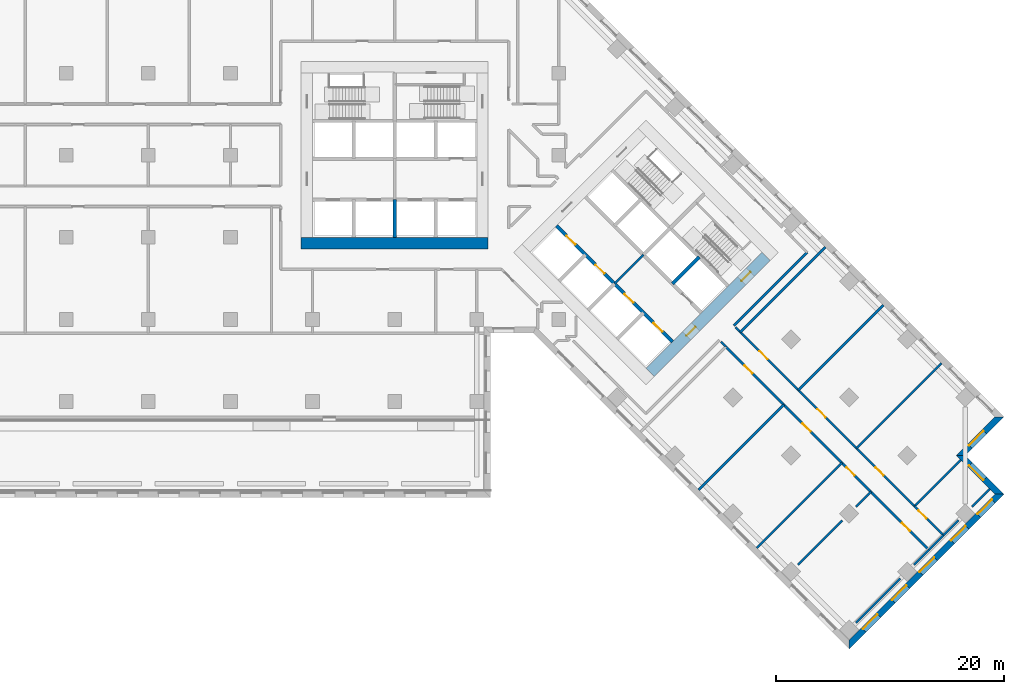
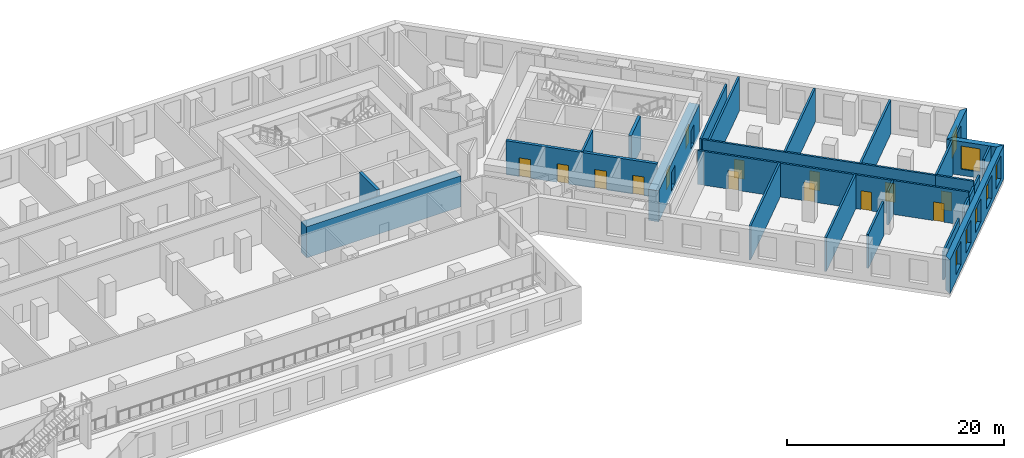
# One storey, part 7 of 13: 27 walls, 14 doors, 7 windows, 21 openings.
"""IFC4 building model written with IfcOpenShell, lengths in metres."""

from ifc_helpers import new_model, si_unit, direction, frame, frame_2d, origin, place, context, subcontext, project, spatial, polyline, rectangle, outline, extrude, material, layer, layer_set, type_object, element, fill, save


model = new_model("IFC4")

# Units and contexts
model_context = context("Model", 3, precision=1e-05, world=origin(), true_north=direction((0.0, 1.0)))
body_context = subcontext(model_context, "Body", "Model", "MODEL_VIEW")
ifc_project = project(units=[si_unit("LENGTHUNIT", "METRE"), si_unit("AREAUNIT", "SQUARE_METRE"), si_unit("VOLUMEUNIT", "CUBIC_METRE"), si_unit("PLANEANGLEUNIT", "RADIAN"), si_unit("MASSUNIT", "GRAM", prefix="KILO")], contexts=[model_context])

# Site, building, storey
site_placement = place(None, origin())
site = spatial("IfcSite", under=ifc_project, at=site_placement, CompositionType="ELEMENT")
building_placement = place(site_placement, origin())
building = spatial("IfcBuilding", under=site, at=building_placement, Name="Windrow Commons", CompositionType="ELEMENT")
storey_placement = place(building_placement, frame((0.0, 0.0, 14.4)))
storey = spatial("IfcBuildingStorey", under=building, at=storey_placement, Name="L03", CompositionType="ELEMENT", Elevation=14.4)

# Wall, openings, windows
ifc_material_1 = material(Name="Brick masonry, red clay brick", Category="masonry")
ifc_layer_1 = layer(ifc_material_1, 0.55)
ifc_layer_set_1 = layer_set([ifc_layer_1], Name="Brick facade wall 550")
wall_type_1 = type_object("IfcWallType", Name="Brick facade wall 550", PredefinedType="SOLIDWALL", material=ifc_layer_set_1)
wall_1_placement = place(storey_placement, frame((104.6558, 14.689, 0.0), z_axis=(0.0, 0.0, 1.0), x_axis=(0.7071094621, 0.7071041002, 0.0)))
wall_1 = element("IfcWall", 1, at=wall_1_placement, inside=storey, type_object=wall_type_1, Name="Brick facade wall L03 1", PredefinedType="SOLIDWALL", context=body_context, shape_type="SweptSolid", body=[
    extrude(outline(polyline([(-0.275, -0.275), (18.925, -0.275), (18.375, 0.275), (0.275, 0.275), (-0.275, -0.275)])), origin(), (0.0, 0.0, 1.0), 3.8),
])
opening_1_placement = place(wall_1_placement, frame((1.825, 0.0, 0.7)))
opening_1 = element("IfcOpeningElement", 2, at=opening_1_placement, cuts=wall_1, Name="Opening W2", PredefinedType="OPENING", context=body_context, shape_type="SweptSolid", body=[
    extrude(rectangle(XDim=1.8, YDim=2.6, at=frame_2d((0.9, 1.3))), frame((0.0, 0.285, 0.0), z_axis=(0.0, -1.0, 0.0), x_axis=(1.0, 0.0, 0.0)), (0.0, 0.0, 1.0), 0.57),
])
opening_2_placement = place(wall_1_placement, frame((5.425, 0.0, 0.7)))
opening_2 = element("IfcOpeningElement", 3, at=opening_2_placement, cuts=wall_1, Name="Opening W2", PredefinedType="OPENING", context=body_context, shape_type="SweptSolid", body=[
    extrude(rectangle(XDim=1.8, YDim=2.6, at=frame_2d((0.9, 1.3))), frame((0.0, 0.285, 0.0), z_axis=(0.0, -1.0, 0.0), x_axis=(1.0, 0.0, 0.0)), (0.0, 0.0, 1.0), 0.57),
])
opening_3_placement = place(wall_1_placement, frame((8.875, 0.0, 0.7)))
opening_3 = element("IfcOpeningElement", 4, at=opening_3_placement, cuts=wall_1, Name="Opening W2", PredefinedType="OPENING", context=body_context, shape_type="SweptSolid", body=[
    extrude(rectangle(XDim=1.8, YDim=2.6, at=frame_2d((0.9, 1.3))), frame((0.0, 0.285, 0.0), z_axis=(0.0, -1.0, 0.0), x_axis=(1.0, 0.0, 0.0)), (0.0, 0.0, 1.0), 0.57),
])
opening_4_placement = place(wall_1_placement, frame((12.775, 0.0, 0.7)))
opening_4 = element("IfcOpeningElement", 5, at=opening_4_placement, cuts=wall_1, Name="Opening W2", PredefinedType="OPENING", context=body_context, shape_type="SweptSolid", body=[
    extrude(rectangle(XDim=1.8, YDim=2.6, at=frame_2d((0.9, 1.3))), frame((0.0, 0.285, 0.0), z_axis=(0.0, -1.0, 0.0), x_axis=(1.0, 0.0, 0.0)), (0.0, 0.0, 1.0), 0.57),
])
opening_5_placement = place(wall_1_placement, frame((16.05, 0.0, 0.7)))
opening_5 = element("IfcOpeningElement", 6, at=opening_5_placement, cuts=wall_1, Name="Opening W2", PredefinedType="OPENING", context=body_context, shape_type="SweptSolid", body=[
    extrude(rectangle(XDim=1.8, YDim=2.6, at=frame_2d((0.9, 1.3))), frame((0.0, 0.285, 0.0), z_axis=(0.0, -1.0, 0.0), x_axis=(1.0, 0.0, 0.0)), (0.0, 0.0, 1.0), 0.57),
])
ifc_material_2 = material(Name="Clear float glass in anodised aluminium frame", Category="aluminium")
window_type = type_object("IfcWindowType", Name="Window W2 podium 1800x2600", PartitioningType="SINGLE_PANEL", PredefinedType="WINDOW", material=ifc_material_2)
window_1_placement = place(opening_1_placement, origin())
window_1 = element("IfcWindow", 7, at=window_1_placement, inside=storey, type_object=window_type, Name="Window L03 1.1", OverallHeight=2.6, OverallWidth=1.8, PartitioningType="SINGLE_PANEL", PredefinedType="WINDOW", context=body_context, shape_type="SweptSolid", body=[
    extrude(rectangle(XDim=1.8, YDim=2.6, at=frame_2d((0.9, 1.3))), frame((0.0, 0.155, 0.0), z_axis=(0.0, -1.0, 0.0), x_axis=(1.0, 0.0, 0.0)), (0.0, 0.0, 1.0), 0.06),
])
fill(opening_1, window_1)
window_2_placement = place(opening_2_placement, origin())
window_2 = element("IfcWindow", 8, at=window_2_placement, inside=storey, type_object=window_type, Name="Window L03 1.2", OverallHeight=2.6, OverallWidth=1.8, PartitioningType="SINGLE_PANEL", PredefinedType="WINDOW", context=body_context, shape_type="SweptSolid", body=[
    extrude(rectangle(XDim=1.8, YDim=2.6, at=frame_2d((0.9, 1.3))), frame((0.0, 0.155, 0.0), z_axis=(0.0, -1.0, 0.0), x_axis=(1.0, 0.0, 0.0)), (0.0, 0.0, 1.0), 0.06),
])
fill(opening_2, window_2)
window_3_placement = place(opening_3_placement, origin())
window_3 = element("IfcWindow", 9, at=window_3_placement, inside=storey, type_object=window_type, Name="Window L03 1.3", OverallHeight=2.6, OverallWidth=1.8, PartitioningType="SINGLE_PANEL", PredefinedType="WINDOW", context=body_context, shape_type="SweptSolid", body=[
    extrude(rectangle(XDim=1.8, YDim=2.6, at=frame_2d((0.9, 1.3))), frame((0.0, 0.155, 0.0), z_axis=(0.0, -1.0, 0.0), x_axis=(1.0, 0.0, 0.0)), (0.0, 0.0, 1.0), 0.06),
])
fill(opening_3, window_3)
window_4_placement = place(opening_4_placement, origin())
window_4 = element("IfcWindow", 10, at=window_4_placement, inside=storey, type_object=window_type, Name="Window L03 1.4", OverallHeight=2.6, OverallWidth=1.8, PartitioningType="SINGLE_PANEL", PredefinedType="WINDOW", context=body_context, shape_type="SweptSolid", body=[
    extrude(rectangle(XDim=1.8, YDim=2.6, at=frame_2d((0.9, 1.3))), frame((0.0, 0.155, 0.0), z_axis=(0.0, -1.0, 0.0), x_axis=(1.0, 0.0, 0.0)), (0.0, 0.0, 1.0), 0.06),
])
fill(opening_4, window_4)
window_5_placement = place(opening_5_placement, origin())
window_5 = element("IfcWindow", 11, at=window_5_placement, inside=storey, type_object=window_type, Name="Window L03 1.5", OverallHeight=2.6, OverallWidth=1.8, PartitioningType="SINGLE_PANEL", PredefinedType="WINDOW", context=body_context, shape_type="SweptSolid", body=[
    extrude(rectangle(XDim=1.8, YDim=2.6, at=frame_2d((0.9, 1.3))), frame((0.0, 0.155, 0.0), z_axis=(0.0, -1.0, 0.0), x_axis=(1.0, 0.0, 0.0)), (0.0, 0.0, 1.0), 0.06),
])
fill(opening_5, window_5)

# Wall, opening, window
wall_2_placement = place(storey_placement, frame((117.8434, 27.8765, 0.0), z_axis=(0.0, 0.0, 1.0), x_axis=(-0.7071067812, 0.7071067812, 0.0)))
wall_2 = element("IfcWall", 12, at=wall_2_placement, inside=storey, type_object=wall_type_1, Name="Brick facade wall L03 2", PredefinedType="SOLIDWALL", context=body_context, shape_type="SweptSolid", body=[
    extrude(outline(polyline([(-0.275, -0.275), (4.525, -0.275), (5.075, 0.275), (0.275, 0.275), (-0.275, -0.275)])), origin(), (0.0, 0.0, 1.0), 3.8),
])
opening_6_placement = place(wall_2_placement, frame((1.8625, 0.0, 0.7)))
opening_6 = element("IfcOpeningElement", 13, at=opening_6_placement, cuts=wall_2, Name="Opening W2", PredefinedType="OPENING", context=body_context, shape_type="SweptSolid", body=[
    extrude(rectangle(XDim=1.8, YDim=2.6, at=frame_2d((0.9, 1.3))), frame((0.0, 0.285, 0.0), z_axis=(0.0, -1.0, 0.0), x_axis=(1.0, 0.0, 0.0)), (0.0, 0.0, 1.0), 0.57),
])
window_6_placement = place(opening_6_placement, origin())
window_6 = element("IfcWindow", 14, at=window_6_placement, inside=storey, type_object=window_type, Name="Window L03 2.1", OverallHeight=2.6, OverallWidth=1.8, PartitioningType="SINGLE_PANEL", PredefinedType="WINDOW", context=body_context, shape_type="SweptSolid", body=[
    extrude(rectangle(XDim=1.8, YDim=2.6, at=frame_2d((0.9, 1.3))), frame((0.0, 0.155, 0.0), z_axis=(0.0, -1.0, 0.0), x_axis=(1.0, 0.0, 0.0)), (0.0, 0.0, 1.0), 0.06),
])
fill(opening_6, window_6)

wall_3_placement = place(storey_placement, frame((114.4493, 31.2706, 0.0), z_axis=(0.0, 0.0, 1.0), x_axis=(0.7070963646, 0.7071171977, 0.0)))
wall_3 = element("IfcWall", 15, at=wall_3_placement, inside=storey, type_object=wall_type_1, Name="Brick facade wall L03 3", PredefinedType="SOLIDWALL", context=body_context, shape_type="SweptSolid", body=[
    extrude(outline(polyline([(0.275, -0.275), (5.075, -0.275), (4.5251, 0.275), (-0.275, 0.275), (0.275, -0.275)])), origin(), (0.0, 0.0, 1.0), 3.8),
])
opening_7_placement = place(wall_3_placement, frame((1.1375, 0.0, 0.7)))
opening_7 = element("IfcOpeningElement", 16, at=opening_7_placement, cuts=wall_3, Name="Opening W2", PredefinedType="OPENING", context=body_context, shape_type="SweptSolid", body=[
    extrude(rectangle(XDim=1.8, YDim=2.6, at=frame_2d((0.9, 1.3))), frame((0.0, 0.285, 0.0), z_axis=(0.0, -1.0, 0.0), x_axis=(1.0, 0.0, 0.0)), (0.0, 0.0, 1.0), 0.57),
])
window_7_placement = place(opening_7_placement, origin())
window_7 = element("IfcWindow", 17, at=window_7_placement, inside=storey, type_object=window_type, Name="Window L03 3.1", OverallHeight=2.6, OverallWidth=1.8, PartitioningType="SINGLE_PANEL", PredefinedType="WINDOW", context=body_context, shape_type="SweptSolid", body=[
    extrude(rectangle(XDim=1.8, YDim=2.6, at=frame_2d((0.9, 1.3))), frame((0.0, 0.155, 0.0), z_axis=(0.0, -1.0, 0.0), x_axis=(1.0, 0.0, 0.0)), (0.0, 0.0, 1.0), 0.06),
])
fill(opening_7, window_7)

# Wall
ifc_material_3 = material(Name="Blockwork partition", Category="masonry")
ifc_layer_2 = layer(ifc_material_3, 0.2)
ifc_layer_set_2 = layer_set([ifc_layer_2], Name="Fire lobby partition 200")
wall_type_2 = type_object("IfcWallType", Name="Fire lobby partition 200", PredefinedType="PARTITIONING", material=ifc_layer_set_2)
wall_4_placement = place(storey_placement, frame((84.079, 46.332, 0.0), z_axis=(0.0, 0.0, 1.0), x_axis=(0.7071067812, 0.7071067812, 0.0)))
element("IfcWall", 18, at=wall_4_placement, inside=storey, type_object=wall_type_2, Name="W-core-lobby-B-L03", PredefinedType="PARTITIONING", context=body_context, shape_type="SweptSolid", body=[
    extrude(rectangle(XDim=3.6, YDim=0.2, at=frame_2d((1.8, 0.0))), origin(), (0.0, 0.0, 1.0), 3.8),
])

# Wall, openings, doors
ifc_material_4 = material(Name="Blockwork partition", Category="masonry")
ifc_layer_3 = layer(ifc_material_4, 0.2)
ifc_layer_set_3 = layer_set([ifc_layer_3], Name="IW-CORRIDOR-200")
wall_type_3 = type_object("IfcWallType", Name="IW-CORRIDOR-200", PredefinedType="PARTITIONING", material=ifc_layer_set_3)
wall_5_placement = place(storey_placement, frame((93.8346, 40.8126, 0.0), z_axis=(0.0, 0.0, 1.0), x_axis=(0.7071067812, -0.7071067812, 0.0)))
wall_5 = element("IfcWall", 19, at=wall_5_placement, inside=storey, type_object=wall_type_3, Name="W-L03-W005", PredefinedType="PARTITIONING", context=body_context, shape_type="SweptSolid", body=[
    extrude(rectangle(XDim=25.1985, YDim=0.2, at=frame_2d((12.5992, 0.0))), origin(), (0.0, 0.0, 1.0), 3.8),
])
opening_8_placement = place(wall_5_placement, frame((2.3365, 0.0, 0.0)))
opening_8 = element("IfcOpeningElement", 20, at=opening_8_placement, cuts=wall_5, Name="Opening D310F", PredefinedType="OPENING", context=body_context, shape_type="SweptSolid", body=[
    extrude(rectangle(XDim=1.0, YDim=2.1, at=frame_2d((0.5, 1.05))), frame((0.0, 0.11, 0.0), z_axis=(0.0, -1.0, 0.0), x_axis=(1.0, 0.0, 0.0)), (0.0, 0.0, 1.0), 0.22),
])
opening_9_placement = place(wall_5_placement, frame((9.5365, 0.0, 0.0)))
opening_9 = element("IfcOpeningElement", 21, at=opening_9_placement, cuts=wall_5, Name="Opening D310F", PredefinedType="OPENING", context=body_context, shape_type="SweptSolid", body=[
    extrude(rectangle(XDim=1.0, YDim=2.1, at=frame_2d((0.5, 1.05))), frame((0.0, 0.11, 0.0), z_axis=(0.0, -1.0, 0.0), x_axis=(1.0, 0.0, 0.0)), (0.0, 0.0, 1.0), 0.22),
])
opening_10_placement = place(wall_5_placement, frame((14.9665, 0.0, 0.0)))
opening_10 = element("IfcOpeningElement", 22, at=opening_10_placement, cuts=wall_5, Name="Opening D310F", PredefinedType="OPENING", context=body_context, shape_type="SweptSolid", body=[
    extrude(rectangle(XDim=1.0, YDim=2.1, at=frame_2d((0.5, 1.05))), frame((0.0, 0.11, 0.0), z_axis=(0.0, -1.0, 0.0), x_axis=(1.0, 0.0, 0.0)), (0.0, 0.0, 1.0), 0.22),
])
opening_11_placement = place(wall_5_placement, frame((21.8615, 0.0, 0.0)))
opening_11 = element("IfcOpeningElement", 23, at=opening_11_placement, cuts=wall_5, Name="Opening D310F", PredefinedType="OPENING", context=body_context, shape_type="SweptSolid", body=[
    extrude(rectangle(XDim=1.0, YDim=2.1, at=frame_2d((0.5, 1.05))), frame((0.0, 0.11, 0.0), z_axis=(0.0, -1.0, 0.0), x_axis=(1.0, 0.0, 0.0)), (0.0, 0.0, 1.0), 0.22),
])
ifc_material_5 = material(Name="Timber door leaf", Category="wood")
door_type_1 = type_object("IfcDoorType", Name="DT-AMENITY-1000", OperationType="SINGLE_SWING_LEFT", PredefinedType="DOOR", material=ifc_material_5)
door_1_placement = place(opening_8_placement, origin())
door_1 = element("IfcDoor", 24, at=door_1_placement, inside=storey, type_object=door_type_1, Name="D-L03-D035", OperationType="SINGLE_SWING_LEFT", OverallHeight=2.1, OverallWidth=1.0, PredefinedType="DOOR", context=body_context, shape_type="SweptSolid", body=[
    extrude(rectangle(XDim=1.0, YDim=2.1, at=frame_2d((0.5, 1.05))), frame((0.0, 0.025, 0.0), z_axis=(0.0, -1.0, 0.0), x_axis=(1.0, 0.0, 0.0)), (0.0, 0.0, 1.0), 0.05),
])
fill(opening_8, door_1)
door_2_placement = place(opening_9_placement, origin())
door_2 = element("IfcDoor", 25, at=door_2_placement, inside=storey, type_object=door_type_1, Name="D-L03-D036", OperationType="SINGLE_SWING_LEFT", OverallHeight=2.1, OverallWidth=1.0, PredefinedType="DOOR", context=body_context, shape_type="SweptSolid", body=[
    extrude(rectangle(XDim=1.0, YDim=2.1, at=frame_2d((0.5, 1.05))), frame((0.0, 0.025, 0.0), z_axis=(0.0, -1.0, 0.0), x_axis=(1.0, 0.0, 0.0)), (0.0, 0.0, 1.0), 0.05),
])
fill(opening_9, door_2)
door_3_placement = place(opening_10_placement, origin())
door_3 = element("IfcDoor", 26, at=door_3_placement, inside=storey, type_object=door_type_1, Name="D-L03-D037", OperationType="SINGLE_SWING_LEFT", OverallHeight=2.1, OverallWidth=1.0, PredefinedType="DOOR", context=body_context, shape_type="SweptSolid", body=[
    extrude(rectangle(XDim=1.0, YDim=2.1, at=frame_2d((0.5, 1.05))), frame((0.0, 0.025, 0.0), z_axis=(0.0, -1.0, 0.0), x_axis=(1.0, 0.0, 0.0)), (0.0, 0.0, 1.0), 0.05),
])
fill(opening_10, door_3)
door_4_placement = place(opening_11_placement, origin())
door_4 = element("IfcDoor", 27, at=door_4_placement, inside=storey, type_object=door_type_1, Name="D-L03-D038", OperationType="SINGLE_SWING_RIGHT", OverallHeight=2.1, OverallWidth=1.0, PredefinedType="DOOR", context=body_context, shape_type="SweptSolid", body=[
    extrude(rectangle(XDim=1.0, YDim=2.1, at=frame_2d((0.5, 1.05))), frame((0.0, 0.025, 0.0), z_axis=(0.0, -1.0, 0.0), x_axis=(1.0, 0.0, 0.0)), (0.0, 0.0, 1.0), 0.05),
])
fill(opening_11, door_4)

wall_6_placement = place(storey_placement, frame((94.6895, 42.5175, 0.0), z_axis=(0.0, 0.0, 1.0), x_axis=(0.7071067812, -0.7071067812, 0.0)))
wall_6 = element("IfcWall", 28, at=wall_6_placement, inside=storey, type_object=wall_type_3, Name="W-L03-W006", PredefinedType="PARTITIONING", context=body_context, shape_type="SweptSolid", body=[
    extrude(rectangle(XDim=22.2003, YDim=0.2, at=frame_2d((11.1001, 0.0))), origin(), (0.0, 0.0, 1.0), 3.8),
])
opening_12_placement = place(wall_6_placement, frame((2.9737, 0.0, 0.0)))
opening_12 = element("IfcOpeningElement", 29, at=opening_12_placement, cuts=wall_6, Name="Opening D310F", PredefinedType="OPENING", context=body_context, shape_type="SweptSolid", body=[
    extrude(rectangle(XDim=1.0, YDim=2.1, at=frame_2d((0.5, 1.05))), frame((0.0, 0.11, 0.0), z_axis=(0.0, -1.0, 0.0), x_axis=(1.0, 0.0, 0.0)), (0.0, 0.0, 1.0), 0.22),
])
opening_13_placement = place(wall_6_placement, frame((10.1737, 0.0, 0.0)))
opening_13 = element("IfcOpeningElement", 30, at=opening_13_placement, cuts=wall_6, Name="Opening D310F", PredefinedType="OPENING", context=body_context, shape_type="SweptSolid", body=[
    extrude(rectangle(XDim=1.0, YDim=2.1, at=frame_2d((0.5, 1.05))), frame((0.0, 0.11, 0.0), z_axis=(0.0, -1.0, 0.0), x_axis=(1.0, 0.0, 0.0)), (0.0, 0.0, 1.0), 0.22),
])
opening_14_placement = place(wall_6_placement, frame((17.3737, 0.0, 0.0)))
opening_14 = element("IfcOpeningElement", 31, at=opening_14_placement, cuts=wall_6, Name="Opening D310F", PredefinedType="OPENING", context=body_context, shape_type="SweptSolid", body=[
    extrude(rectangle(XDim=1.0, YDim=2.1, at=frame_2d((0.5, 1.05))), frame((0.0, 0.11, 0.0), z_axis=(0.0, -1.0, 0.0), x_axis=(1.0, 0.0, 0.0)), (0.0, 0.0, 1.0), 0.22),
])
door_5_placement = place(opening_12_placement, origin())
door_5 = element("IfcDoor", 32, at=door_5_placement, inside=storey, type_object=door_type_1, Name="D-L03-D032", OperationType="SINGLE_SWING_RIGHT", OverallHeight=2.1, OverallWidth=1.0, PredefinedType="DOOR", context=body_context, shape_type="SweptSolid", body=[
    extrude(rectangle(XDim=1.0, YDim=2.1, at=frame_2d((0.5, 1.05))), frame((0.0, 0.025, 0.0), z_axis=(0.0, -1.0, 0.0), x_axis=(1.0, 0.0, 0.0)), (0.0, 0.0, 1.0), 0.05),
])
fill(opening_12, door_5)
door_6_placement = place(opening_13_placement, origin())
door_6 = element("IfcDoor", 33, at=door_6_placement, inside=storey, type_object=door_type_1, Name="D-L03-D033", OperationType="SINGLE_SWING_RIGHT", OverallHeight=2.1, OverallWidth=1.0, PredefinedType="DOOR", context=body_context, shape_type="SweptSolid", body=[
    extrude(rectangle(XDim=1.0, YDim=2.1, at=frame_2d((0.5, 1.05))), frame((0.0, 0.025, 0.0), z_axis=(0.0, -1.0, 0.0), x_axis=(1.0, 0.0, 0.0)), (0.0, 0.0, 1.0), 0.05),
])
fill(opening_13, door_6)
door_7_placement = place(opening_14_placement, origin())
door_7 = element("IfcDoor", 34, at=door_7_placement, inside=storey, type_object=door_type_1, Name="D-L03-D034", OperationType="SINGLE_SWING_RIGHT", OverallHeight=2.1, OverallWidth=1.0, PredefinedType="DOOR", context=body_context, shape_type="SweptSolid", body=[
    extrude(rectangle(XDim=1.0, YDim=2.1, at=frame_2d((0.5, 1.05))), frame((0.0, 0.025, 0.0), z_axis=(0.0, -1.0, 0.0), x_axis=(1.0, 0.0, 0.0)), (0.0, 0.0, 1.0), 0.05),
])
fill(opening_14, door_7)

# Wall
wall_7_placement = place(storey_placement, frame((94.5437, 42.6563, 0.0), z_axis=(0.0, 0.0, 1.0), x_axis=(0.7071067812, 0.7071067812, 0.0)))
element("IfcWall", 35, at=wall_7_placement, inside=storey, type_object=wall_type_3, Name="W-L03-W029", PredefinedType="PARTITIONING", context=body_context, shape_type="SweptSolid", body=[
    extrude(rectangle(XDim=9.0991, YDim=0.2, at=frame_2d((4.5495, 0.0))), origin(), (0.0, 0.0, 1.0), 3.8),
])

# Wall, opening, door
wall_8_placement = place(storey_placement, frame((110.3852, 26.8172, 0.0), z_axis=(0.0, 0.0, 1.0), x_axis=(0.7068288851, -0.7073845681, 0.0)))
wall_8 = element("IfcWall", 36, at=wall_8_placement, inside=storey, type_object=wall_type_3, Name="W-L03-W060", PredefinedType="PARTITIONING", context=body_context, shape_type="SweptSolid", body=[
    extrude(rectangle(XDim=3.5992, YDim=0.2, at=frame_2d((1.7996, 0.0))), origin(), (0.0, 0.0, 1.0), 3.8),
])
opening_15_placement = place(wall_8_placement, frame((0.5072, 0.0, 0.0)))
opening_15 = element("IfcOpeningElement", 37, at=opening_15_placement, cuts=wall_8, Name="Opening D310F", PredefinedType="OPENING", context=body_context, shape_type="SweptSolid", body=[
    extrude(rectangle(XDim=1.0, YDim=2.1, at=frame_2d((0.5, 1.05))), frame((0.0, 0.11, 0.0), z_axis=(0.0, -1.0, 0.0), x_axis=(1.0, 0.0, 0.0)), (0.0, 0.0, 1.0), 0.22),
])
door_8_placement = place(opening_15_placement, origin())
door_8 = element("IfcDoor", 38, at=door_8_placement, inside=storey, type_object=door_type_1, Name="D-L03-D039", OperationType="SINGLE_SWING_RIGHT", OverallHeight=2.1, OverallWidth=1.0, PredefinedType="DOOR", context=body_context, shape_type="SweptSolid", body=[
    extrude(rectangle(XDim=1.0, YDim=2.1, at=frame_2d((0.5, 1.05))), frame((0.0, 0.025, 0.0), z_axis=(0.0, -1.0, 0.0), x_axis=(1.0, 0.0, 0.0)), (0.0, 0.0, 1.0), 0.05),
])
fill(opening_15, door_8)

# Walls
wall_9_placement = place(storey_placement, frame((111.6555, 22.9985, 0.0), z_axis=(0.0, 0.0, 1.0), x_axis=(0.7071067812, 0.7071067812, 0.0)))
element("IfcWall", 39, at=wall_9_placement, inside=storey, type_object=wall_type_3, Name="W-L03-W091", PredefinedType="PARTITIONING", context=body_context, shape_type="SweptSolid", body=[
    extrude(rectangle(XDim=1.7989, YDim=0.2, at=frame_2d((0.8994, 0.0))), origin(), (0.0, 0.0, 1.0), 3.2),
])
wall_10_placement = place(storey_placement, frame((93.4146, 41.2426, 0.0), z_axis=(0.0, 0.0, 1.0), x_axis=(0.7087685999, -0.7054410477, 0.0)))
element("IfcWall", 40, at=wall_10_placement, inside=storey, type_object=wall_type_3, Name="W-L03-W107", PredefinedType="PARTITIONING", context=body_context, shape_type="SweptSolid", body=[
    extrude(rectangle(XDim=0.601, YDim=0.2, at=frame_2d((0.3005, 0.0))), origin(), (0.0, 0.0, 1.0), 3.8),
])
ifc_material_6 = material(Name="Blockwork partition", Category="masonry")
ifc_layer_4 = layer(ifc_material_6, 0.2)
ifc_layer_set_4 = layer_set([ifc_layer_4], Name="IW-PARTY-200")
wall_type_4 = type_object("IfcWallType", Name="IW-PARTY-200", PredefinedType="PARTITIONING", material=ifc_layer_set_4)
for number, where, z_axis, x_axis, name in (
    (41, (96.5586, 23.1751, 0.0), (0.0, 0.0, 1.0), (0.7071115204, 0.7071020419, 0.0), "W-L03-W013"),
    (42, (91.4675, 28.2663, 0.0), (0.0, 0.0, 1.0), (0.7071067812, 0.7071067812, 0.0), "W-L03-W014"),
):
    element("IfcWall", number, at=place(storey_placement, frame(where, z_axis=z_axis, x_axis=x_axis)), inside=storey, type_object=wall_type_4, Name=name, PredefinedType="PARTITIONING", context=body_context, shape_type="SweptSolid", body=[
        extrude(rectangle(XDim=10.5502, YDim=0.2, at=frame_2d((5.2751, 0.0))), origin(), (0.0, 0.0, 1.0), 3.8),
    ])
for number, where, z_axis, x_axis, name in (
    (43, (95.1094, 42.0906, 0.0), (0.0, 0.0, 1.0), (0.7071115207, 0.7071020416, 0.0), "W-L03-W026"),
    (44, (105.2918, 31.9082, 0.0), (0.0, 0.0, 1.0), (0.7071020416, 0.7071115207, 0.0), "W-L03-W027"),
    (45, (100.2006, 36.9994, 0.0), (0.0, 0.0, 1.0), (0.7071067812, 0.7071067812, 0.0), "W-L03-W028"),
):
    element("IfcWall", number, at=place(storey_placement, frame(where, z_axis=z_axis, x_axis=x_axis)), inside=storey, type_object=wall_type_4, Name=name, PredefinedType="PARTITIONING", context=body_context, shape_type="SweptSolid", body=[
        extrude(rectangle(XDim=10.5495, YDim=0.2, at=frame_2d((5.2748, 0.0))), origin(), (0.0, 0.0, 1.0), 3.8),
    ])
wall_11_placement = place(storey_placement, frame((110.3829, 26.8171, 0.0), z_axis=(0.0, 0.0, 1.0), x_axis=(0.7071067812, 0.7071067812, 0.0)))
element("IfcWall", 46, at=wall_11_placement, inside=storey, type_object=wall_type_4, Name="W-L03-W039", PredefinedType="PARTITIONING", context=body_context, shape_type="SweptSolid", body=[
    extrude(rectangle(XDim=5.7495, YDim=0.2, at=frame_2d((2.8748, 0.0))), origin(), (0.0, 0.0, 1.0), 3.8),
])
wall_12_placement = place(storey_placement, frame((100.1624, 21.6876, 0.0), z_axis=(0.0, 0.0, 1.0), x_axis=(0.7071067812, 0.7071067812, 0.0)))
element("IfcWall", 47, at=wall_12_placement, inside=storey, type_object=wall_type_4, Name="W-L03-W041", PredefinedType="PARTITIONING", context=body_context, shape_type="SweptSolid", body=[
    extrude(rectangle(XDim=5.5069, YDim=0.2, at=frame_2d((2.7534, 0.0))), origin(), (0.0, 0.0, 1.0), 3.8),
])
wall_13_placement = place(storey_placement, frame((105.2555, 16.5985, 0.0), z_axis=(0.0, 0.0, 1.0), x_axis=(0.7071067812, 0.7071067812, 0.0)))
element("IfcWall", 48, at=wall_13_placement, inside=storey, type_object=wall_type_4, Name="W-L03-W042", PredefinedType="PARTITIONING", context=body_context, shape_type="SweptSolid", body=[
    extrude(rectangle(XDim=5.5041, YDim=0.2, at=frame_2d((2.7521, 0.0))), origin(), (0.0, 0.0, 1.0), 3.2),
])
wall_14_placement = place(storey_placement, frame((115.4375, 26.7805, 0.0), z_axis=(0.0, 0.0, 1.0), x_axis=(0.7071067812, 0.7071067812, 0.0)))
element("IfcWall", 49, at=wall_14_placement, inside=storey, type_object=wall_type_4, Name="W-L03-W067", PredefinedType="PARTITIONING", context=body_context, shape_type="SweptSolid", body=[
    extrude(rectangle(XDim=2.2012, YDim=0.2, at=frame_2d((1.1006, 0.0))), origin(), (0.0, 0.0, 1.0), 3.8),
])
for number, where, z_axis, x_axis, name in (
    (50, (110.3455, 21.6885, 0.0), (0.0, 0.0, 1.0), (0.7071067812, 0.7071067812, 0.0), "W-L03-W082"),
    (51, (112.9275, 24.2705, 0.0), (0.0, 0.0, 1.0), (0.7071067812, 0.7071067812, 0.0), "W-L03-W083"),
):
    element("IfcWall", number, at=place(storey_placement, frame(where, z_axis=z_axis, x_axis=x_axis)), inside=storey, type_object=wall_type_4, Name=name, PredefinedType="PARTITIONING", context=body_context, shape_type="SweptSolid", body=[
        extrude(rectangle(XDim=1.8526, YDim=0.2, at=frame_2d((0.9263, 0.0))), origin(), (0.0, 0.0, 1.0), 3.2),
    ])
wall_15_placement = place(storey_placement, frame((105.2563, 26.7797, 0.0), z_axis=(0.0, 0.0, 1.0), x_axis=(0.7076467632, 0.7065663865, 0.0)))
element("IfcWall", 52, at=wall_15_placement, inside=storey, type_object=wall_type_4, Name="W-L03-W084", PredefinedType="PARTITIONING", context=body_context, shape_type="SweptSolid", body=[
    extrude(rectangle(XDim=1.8512, YDim=0.2, at=frame_2d((0.9256, 0.0))), origin(), (0.0, 0.0, 1.0), 3.8),
])
ifc_material_7 = material(Name="Concrete C60/75", Category="concrete")
ifc_layer_5 = layer(ifc_material_7, 1.0)
ifc_layer_set_5 = layer_set([ifc_layer_5], Name="RC CORE WALL 1000 C60/75")
wall_type_5 = type_object("IfcWallType", Name="RC CORE WALL 1000 C60/75", PredefinedType="SHEAR", material=ifc_layer_set_5)
wall_16_placement = place(storey_placement, frame((56.6, 49.9, -0.4), z_axis=(0.0, 0.0, 1.0), x_axis=(1.0, 0.0, 0.0)))
element("IfcWall", 53, at=wall_16_placement, inside=storey, type_object=wall_type_5, Name="Core A wall outer-S", PredefinedType="SHEAR", context=body_context, shape_type="SweptSolid", body=[
    extrude(rectangle(XDim=16.4, YDim=1.0, at=frame_2d((8.2, 0.0))), origin(), (0.0, 0.0, 1.0), 3.5),
])

# Wall, openings, doors
wall_17_placement = place(storey_placement, frame((87.1903, 38.5538, -0.4), z_axis=(0.0, 0.0, 1.0), x_axis=(0.707103309, 0.7071102534, 0.0)))
wall_17 = element("IfcWall", 54, at=wall_17_placement, inside=storey, type_object=wall_type_5, Name="Core B wall outer-E", PredefinedType="SHEAR", context=body_context, shape_type="SweptSolid", body=[
    extrude(rectangle(XDim=14.4, YDim=1.0, at=frame_2d((7.2, 0.0))), origin(), (0.0, 0.0, 1.0), 3.5),
])
opening_16_placement = place(wall_17_placement, frame((4.55, 0.0, 0.4)))
opening_16 = element("IfcOpeningElement", 55, at=opening_16_placement, cuts=wall_17, Name="Opening D6", PredefinedType="OPENING", context=body_context, shape_type="SweptSolid", body=[
    extrude(rectangle(XDim=1.1, YDim=2.1, at=frame_2d((0.55, 1.05))), frame((0.0, 0.51, 0.0), z_axis=(0.0, -1.0, 0.0), x_axis=(1.0, 0.0, 0.0)), (0.0, 0.0, 1.0), 1.02),
])
opening_17_placement = place(wall_17_placement, frame((11.35, 0.0, 0.4)))
opening_17 = element("IfcOpeningElement", 56, at=opening_17_placement, cuts=wall_17, Name="Opening D7", PredefinedType="OPENING", context=body_context, shape_type="SweptSolid", body=[
    extrude(rectangle(XDim=1.1, YDim=2.1, at=frame_2d((0.55, 1.05))), frame((0.0, 0.51, 0.0), z_axis=(0.0, -1.0, 0.0), x_axis=(1.0, 0.0, 0.0)), (0.0, 0.0, 1.0), 1.02),
])
ifc_material_8 = material(Name="Steel fire door leaf", Category="steel")
door_type_2 = type_object("IfcDoorType", Name="Core lobby door 1100", OperationType="SINGLE_SWING_LEFT", PredefinedType="DOOR", material=ifc_material_8)
door_9_placement = place(opening_16_placement, origin())
door_9 = element("IfcDoor", 57, at=door_9_placement, inside=storey, type_object=door_type_2, Name="Lift lobby door", OperationType="DOUBLE_DOOR_SINGLE_SWING", OverallHeight=2.1, OverallWidth=1.1, PredefinedType="DOOR", context=body_context, shape_type="SweptSolid", body=[
    extrude(rectangle(XDim=1.1, YDim=2.1, at=frame_2d((0.55, 1.05))), frame((0.0, 0.025, 0.0), z_axis=(0.0, -1.0, 0.0), x_axis=(1.0, 0.0, 0.0)), (0.0, 0.0, 1.0), 0.05),
])
fill(opening_16, door_9)
ifc_material_9 = material(Name="Steel fire door leaf", Category="steel")
door_type_3 = type_object("IfcDoorType", Name="Stair door 1100", OperationType="SINGLE_SWING_LEFT", PredefinedType="DOOR", material=ifc_material_9)
door_10_placement = place(opening_17_placement, origin())
door_10 = element("IfcDoor", 58, at=door_10_placement, inside=storey, type_object=door_type_3, Name="Stair door", OperationType="SINGLE_SWING_RIGHT", OverallHeight=2.1, OverallWidth=1.1, PredefinedType="DOOR", context=body_context, shape_type="SweptSolid", body=[
    extrude(rectangle(XDim=1.1, YDim=2.1, at=frame_2d((0.55, 1.05))), frame((0.0, 0.025, 0.0), z_axis=(0.0, -1.0, 0.0), x_axis=(1.0, 0.0, 0.0)), (0.0, 0.0, 1.0), 0.05),
])
fill(opening_17, door_10)

# Walls
ifc_material_10 = material(Name="Concrete C60/75", Category="concrete")
ifc_layer_6 = layer(ifc_material_10, 0.3)
ifc_layer_set_6 = layer_set([ifc_layer_6], Name="RC SHAFT WALL 300 C60/75")
wall_type_6 = type_object("IfcWallType", Name="RC SHAFT WALL 300 C60/75", PredefinedType="SOLIDWALL", material=ifc_layer_set_6)
wall_18_placement = place(storey_placement, frame((64.8, 50.4, 0.0), z_axis=(0.0, 0.0, 1.0), x_axis=(0.0, 1.0, 0.0)))
element("IfcWall", 59, at=wall_18_placement, inside=storey, type_object=wall_type_6, Name="Core A wall shaft-S2", PredefinedType="SOLIDWALL", context=body_context, shape_type="SweptSolid", body=[
    extrude(rectangle(XDim=3.3, YDim=0.3, at=frame_2d((1.65, 0.0))), origin(), (0.0, 0.0, 1.0), 3.8),
])
wall_19_placement = place(storey_placement, frame((89.1702, 46.332, 0.0), z_axis=(0.0, 0.0, 1.0), x_axis=(0.7071067812, 0.7071067812, 0.0)))
element("IfcWall", 60, at=wall_19_placement, inside=storey, type_object=wall_type_6, Name="Core B wall shaft-N3", PredefinedType="SOLIDWALL", context=body_context, shape_type="SweptSolid", body=[
    extrude(rectangle(XDim=3.3001, YDim=0.3, at=frame_2d((1.6501, 0.0))), origin(), (0.0, 0.0, 1.0), 3.8),
])

# Wall, openings, doors
wall_20_placement = place(storey_placement, frame((78.9879, 51.4232, 0.0), z_axis=(0.0, 0.0, 1.0), x_axis=(0.7071067812, -0.7071067812, 0.0)))
wall_20 = element("IfcWall", 61, at=wall_20_placement, inside=storey, type_object=wall_type_6, Name="Core B wall lobby-S", PredefinedType="SOLIDWALL", context=body_context, shape_type="SweptSolid", body=[
    extrude(rectangle(XDim=14.3999, YDim=0.3, at=frame_2d((7.2, 0.0))), origin(), (0.0, 0.0, 1.0), 3.8),
])
opening_18_placement = place(wall_20_placement, frame((1.25, 0.0, 0.0)))
opening_18 = element("IfcOpeningElement", 62, at=opening_18_placement, cuts=wall_20, Name="Opening LD", PredefinedType="OPENING", context=body_context, shape_type="SweptSolid", body=[
    extrude(rectangle(XDim=1.1, YDim=2.1, at=frame_2d((0.55, 1.05))), frame((0.0, 0.16, 0.0), z_axis=(0.0, -1.0, 0.0), x_axis=(1.0, 0.0, 0.0)), (0.0, 0.0, 1.0), 0.32),
])
opening_19_placement = place(wall_20_placement, frame((4.85, 0.0, 0.0)))
opening_19 = element("IfcOpeningElement", 63, at=opening_19_placement, cuts=wall_20, Name="Opening LD", PredefinedType="OPENING", context=body_context, shape_type="SweptSolid", body=[
    extrude(rectangle(XDim=1.1, YDim=2.1, at=frame_2d((0.55, 1.05))), frame((0.0, 0.16, 0.0), z_axis=(0.0, -1.0, 0.0), x_axis=(1.0, 0.0, 0.0)), (0.0, 0.0, 1.0), 0.32),
])
opening_20_placement = place(wall_20_placement, frame((8.45, 0.0, 0.0)))
opening_20 = element("IfcOpeningElement", 64, at=opening_20_placement, cuts=wall_20, Name="Opening LD", PredefinedType="OPENING", context=body_context, shape_type="SweptSolid", body=[
    extrude(rectangle(XDim=1.1, YDim=2.1, at=frame_2d((0.55, 1.05))), frame((0.0, 0.16, 0.0), z_axis=(0.0, -1.0, 0.0), x_axis=(1.0, 0.0, 0.0)), (0.0, 0.0, 1.0), 0.32),
])
opening_21_placement = place(wall_20_placement, frame((12.05, 0.0, 0.0)))
opening_21 = element("IfcOpeningElement", 65, at=opening_21_placement, cuts=wall_20, Name="Opening LD", PredefinedType="OPENING", context=body_context, shape_type="SweptSolid", body=[
    extrude(rectangle(XDim=1.1, YDim=2.1, at=frame_2d((0.55, 1.05))), frame((0.0, 0.16, 0.0), z_axis=(0.0, -1.0, 0.0), x_axis=(1.0, 0.0, 0.0)), (0.0, 0.0, 1.0), 0.32),
])
ifc_material_11 = material(Name="Stainless steel door leaf", Category="steel")
door_type_4 = type_object("IfcDoorType", Name="Lift landing door 1100", OperationType="SLIDING_TO_LEFT", PredefinedType="DOOR", material=ifc_material_11)
door_11_placement = place(opening_18_placement, origin())
door_11 = element("IfcDoor", 66, at=door_11_placement, inside=storey, type_object=door_type_4, Name="Lift landing door", OperationType="SLIDING_TO_LEFT", OverallHeight=2.1, OverallWidth=1.1, PredefinedType="DOOR", context=body_context, shape_type="SweptSolid", body=[
    extrude(rectangle(XDim=1.1, YDim=2.1, at=frame_2d((0.55, 1.05))), frame((0.0, 0.025, 0.0), z_axis=(0.0, -1.0, 0.0), x_axis=(1.0, 0.0, 0.0)), (0.0, 0.0, 1.0), 0.05),
])
fill(opening_18, door_11)
door_12_placement = place(opening_19_placement, origin())
door_12 = element("IfcDoor", 67, at=door_12_placement, inside=storey, type_object=door_type_4, Name="Lift landing door", OperationType="SLIDING_TO_RIGHT", OverallHeight=2.1, OverallWidth=1.1, PredefinedType="DOOR", context=body_context, shape_type="SweptSolid", body=[
    extrude(rectangle(XDim=1.1, YDim=2.1, at=frame_2d((0.55, 1.05))), frame((0.0, 0.025, 0.0), z_axis=(0.0, -1.0, 0.0), x_axis=(1.0, 0.0, 0.0)), (0.0, 0.0, 1.0), 0.05),
])
fill(opening_19, door_12)
door_13_placement = place(opening_20_placement, origin())
door_13 = element("IfcDoor", 68, at=door_13_placement, inside=storey, type_object=door_type_4, Name="Lift landing door", OperationType="SLIDING_TO_LEFT", OverallHeight=2.1, OverallWidth=1.1, PredefinedType="DOOR", context=body_context, shape_type="SweptSolid", body=[
    extrude(rectangle(XDim=1.1, YDim=2.1, at=frame_2d((0.55, 1.05))), frame((0.0, 0.025, 0.0), z_axis=(0.0, -1.0, 0.0), x_axis=(1.0, 0.0, 0.0)), (0.0, 0.0, 1.0), 0.05),
])
fill(opening_20, door_13)
door_14_placement = place(opening_21_placement, origin())
door_14 = element("IfcDoor", 69, at=door_14_placement, inside=storey, type_object=door_type_4, Name="Lift landing door", OperationType="SLIDING_TO_RIGHT", OverallHeight=2.1, OverallWidth=1.1, PredefinedType="DOOR", context=body_context, shape_type="SweptSolid", body=[
    extrude(rectangle(XDim=1.1, YDim=2.1, at=frame_2d((0.55, 1.05))), frame((0.0, 0.025, 0.0), z_axis=(0.0, -1.0, 0.0), x_axis=(1.0, 0.0, 0.0)), (0.0, 0.0, 1.0), 0.05),
])
fill(opening_21, door_14)

save(model, "model.ifc")
